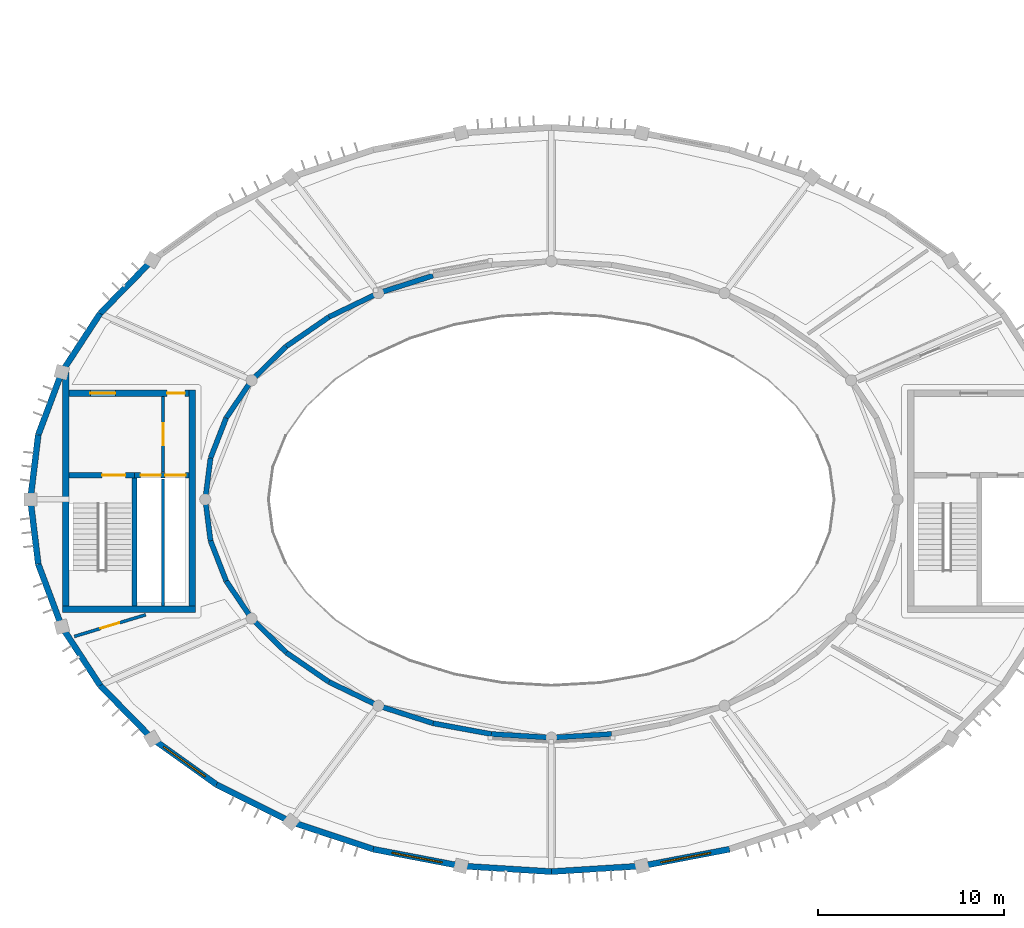
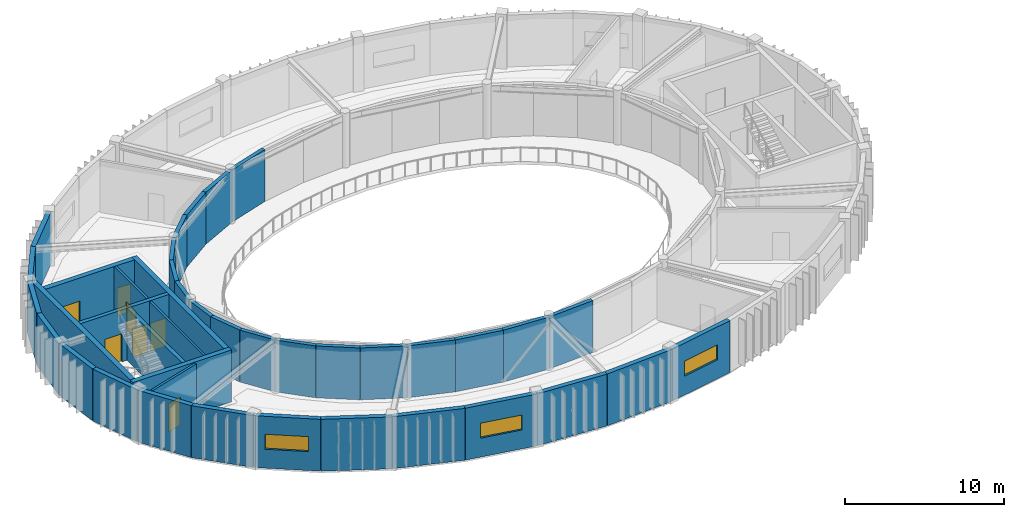
# One storey, part 17 of 29: 42 walls, 7 doors, 3 windows, 10 openings.
"""IFC4 building model written with IfcOpenShell, lengths in metres."""

import ifcopenshell
import ifcopenshell.guid

model = None  # the IFC model being written
_history = None  # IfcOwnerHistory: only IFC2X3 demands one
_inside = {}  # id of a spatial element -> (the spatial element, [elements in it])
_under = {}  # id of a project, library or spatial element -> (it, [spatial elements below it])
_declared = {}  # id of a project -> (the project, [libraries it declares])
_typed = {}  # id of a type object -> (the type object, [elements of that type])
_made_of = {}  # id of a material, layer set ... -> (it, [elements and type objects made of it])


def new_model(schema):
    """Start an empty IFC model of exactly this schema.

    Asked for "IFC4X3", IfcOpenShell would pick the latest addendum, in which some entities
    have other attributes; the version numbers below select the first issue.
    IFC2X3 requires an IfcOwnerHistory on every rooted entity: one is made here for all.
    """
    global model, _history
    if schema == "IFC4X3":
        model = ifcopenshell.file(schema_version=(4, 3, 0, 0))
    else:
        model = ifcopenshell.file(schema=schema)
    _inside.clear()
    _under.clear()
    _declared.clear()
    _typed.clear()
    _made_of.clear()
    _history = None
    if model.schema == "IFC2X3":
        org = make("IfcOrganization", Name="unknown")
        user = make(
            "IfcPersonAndOrganization",
            ThePerson=make("IfcPerson", FamilyName="unknown"),
            TheOrganization=org,
        )
        app = make(
            "IfcApplication",
            ApplicationDeveloper=org,
            Version="unknown",
            ApplicationFullName="unknown",
            ApplicationIdentifier="unknown",
        )
        _history = make(
            "IfcOwnerHistory",
            OwningUser=user,
            OwningApplication=app,
            ChangeAction="ADDED",
            CreationDate=0,
        )
    return model


def make(cls, **values):
    """One entity of the class cls with the attributes given. An attribute that is None is left unset."""
    return model.create_entity(
        cls, **{name: value for name, value in values.items() if value is not None}
    )


def rooted(cls, **values):
    """An entity with a GlobalId (a new one), such as an element, a storey or a relation."""
    return make(cls, GlobalId=ifcopenshell.guid.new(), OwnerHistory=_history, **values)


def si_unit(unit_type, name, prefix=None):
    """IfcSIUnit, for example si_unit("LENGTHUNIT", "METRE", prefix="MILLI")."""
    return make("IfcSIUnit", UnitType=unit_type, Prefix=prefix, Name=name)


def assignment(units):
    """IfcUnitAssignment: the units of a project."""
    return None if units is None else make("IfcUnitAssignment", Units=units)


def point(xyz):
    """IfcCartesianPoint."""
    return None if xyz is None else make("IfcCartesianPoint", Coordinates=xyz)


def direction(xyz):
    """IfcDirection."""
    return None if xyz is None else make("IfcDirection", DirectionRatios=xyz)


def frame(location, z_axis=None, x_axis=None):
    """IfcAxis2Placement3D, a coordinate frame: its origin and axes. An axis left out is left unset."""
    return make(
        "IfcAxis2Placement3D",
        Location=point(location),
        Axis=direction(z_axis),
        RefDirection=direction(x_axis),
    )


def frame_2d(location, x_axis=None):
    """IfcAxis2Placement2D, a coordinate frame in the plane: its origin and x axis."""
    return make(
        "IfcAxis2Placement2D", Location=point(location), RefDirection=direction(x_axis)
    )


def origin():
    """The frame at (0, 0, 0) with its axes left unset."""
    return frame((0.0, 0.0, 0.0))


def place(relative_to, where):
    """IfcLocalPlacement: puts the frame where relative to a parent placement (None: the world)."""
    return make(
        "IfcLocalPlacement", PlacementRelTo=relative_to, RelativePlacement=where
    )


def context(
    kind, dimensions, precision=None, world=None, true_north=None, identifier=None
):
    """IfcGeometricRepresentationContext, for example the 3D "Model" context."""
    return make(
        "IfcGeometricRepresentationContext",
        ContextIdentifier=identifier,
        ContextType=kind,
        CoordinateSpaceDimension=dimensions,
        Precision=precision,
        WorldCoordinateSystem=world,
        TrueNorth=true_north,
    )


def subcontext(parent, identifier, kind, view, scale=None):
    """IfcGeometricRepresentationSubContext, for example "Body" below "Model"."""
    return make(
        "IfcGeometricRepresentationSubContext",
        ContextIdentifier=identifier,
        ContextType=kind,
        ParentContext=parent,
        TargetScale=scale,
        TargetView=view,
    )


def project(units=None, contexts=None):
    """IfcProject with its units and contexts."""
    return rooted(
        "IfcProject",
        Name="project",
        RepresentationContexts=contexts,
        UnitsInContext=assignment(units),
    )


def spatial(cls, under=None, at=None, **own):
    """A site, building, storey or space (cls), placed at a placement, below another one or the project."""
    s = rooted(cls, ObjectPlacement=at, **own)
    if under is not None:
        _under.setdefault(under.id(), (under, []))[1].append(s)
    return s


def profile(cls, at=None, kind="AREA", **sizes):
    """A parametric profile (cls). Its sizes go by their IFC names, for example OverallWidth=200.0."""
    return make(cls, ProfileType=kind, Position=at, **sizes)


def rectangle(**sizes):
    """IfcRectangleProfileDef."""
    return profile("IfcRectangleProfileDef", **sizes)


def extrude(swept, where, along, depth):
    """IfcExtrudedAreaSolid: the profile swept, set in the frame where, extruded along a direction by depth."""
    return make(
        "IfcExtrudedAreaSolid",
        SweptArea=swept,
        Position=where,
        ExtrudedDirection=direction(along),
        Depth=depth,
    )


def shape(context_of_items, identifier, shape_type, items):
    """IfcShapeRepresentation: the items that make up one representation, for example the "Body"."""
    return make(
        "IfcShapeRepresentation",
        ContextOfItems=context_of_items,
        RepresentationIdentifier=identifier,
        RepresentationType=shape_type,
        Items=items,
    )


def material(Name=None, Category=None):
    """IfcMaterial."""
    return make("IfcMaterial", Name=Name, Category=Category)


def layer(
    of_material, thickness, ventilated=None, Name=None, Category=None, Priority=None
):
    """IfcMaterialLayer: one layer of a wall or slab, of a material (None: an air gap)."""
    return make(
        "IfcMaterialLayer",
        Material=of_material,
        LayerThickness=thickness,
        IsVentilated=ventilated,
        Name=Name,
        Category=Category,
        Priority=Priority,
    )


def layer_set(layers, Name=None):
    """IfcMaterialLayerSet."""
    return make("IfcMaterialLayerSet", MaterialLayers=layers, LayerSetName=Name)


def made_of(thing, what):
    """Note that an element or type object is made of a material, layer set ...; save() writes the relation."""
    if what is not None:
        _made_of.setdefault(what.id(), (what, []))[1].append(thing)
    return thing


def type_object(cls, material=None, **own):
    """A type object (cls), such as IfcWallType, which elements share."""
    return made_of(rooted(cls, **own), material)


def element(
    cls,
    number,
    at=None,
    inside=None,
    cuts=None,
    type_object=None,
    material=None,
    context=None,
    identifier="Body",
    shape_type=None,
    held_by="IfcProductDefinitionShape",
    body=None,
    shapes=None,
    **own,
):
    """One element of the class cls, such as IfcWall. Its Tag is "e" and its number.

    at: its placement. inside: the storey or other place that contains it. cuts: it is an
    opening in that element (IfcRelVoidsElement). A single representation is given by context,
    identifier, shape_type and body (its items); several are given by shapes. held_by: the class
    of the entity that holds the representations. save() writes the other relations.
    """
    e = rooted(cls, Tag="e%d" % number, ObjectPlacement=at, **own)
    if body is not None:
        shapes = [shape(context, identifier, shape_type, body)]
    if shapes is not None:
        e.Representation = make(held_by, Representations=shapes)
    if inside is not None:
        _inside.setdefault(inside.id(), (inside, []))[1].append(e)
    if cuts is not None:
        rooted(
            "IfcRelVoidsElement", RelatingBuildingElement=cuts, RelatedOpeningElement=e
        )
    if type_object is not None:
        _typed.setdefault(type_object.id(), (type_object, []))[1].append(e)
    return made_of(e, material)


def fill(opening, filler):
    """IfcRelFillsElement: the door or window that sits in an opening."""
    return rooted(
        "IfcRelFillsElement",
        RelatingOpeningElement=opening,
        RelatedBuildingElement=filler,
    )


def aggregate(whole, parts):
    """IfcRelAggregates: a whole, such as a stair, and the parts it consists of."""
    return rooted("IfcRelAggregates", RelatingObject=whole, RelatedObjects=parts)


def save(model, path):
    """Write the relations noted so far, then the file.

    IfcRelAggregates (storeys below a building ...), IfcRelContainedInSpatialStructure (elements
    in a storey), IfcRelDefinesByType, IfcRelAssociatesMaterial and IfcRelDeclares: one each for
    every whole, place, type object, material and project.
    """
    for whole, parts in _under.values():
        aggregate(whole, parts)
    for where, things in _inside.values():
        rooted(
            "IfcRelContainedInSpatialStructure",
            RelatedElements=things,
            RelatingStructure=where,
        )
    for kind, things in _typed.values():
        rooted("IfcRelDefinesByType", RelatedObjects=things, RelatingType=kind)
    for what, things in _made_of.values():
        rooted("IfcRelAssociatesMaterial", RelatedObjects=things, RelatingMaterial=what)
    for by, libraries in _declared.values():
        rooted("IfcRelDeclares", RelatingContext=by, RelatedDefinitions=libraries)
    model.write(path)


model = new_model("IFC4")

# Units and contexts
model_context = context("Model", 3, precision=1e-05, world=origin(), true_north=direction((0.0, 1.0)))
body_context = subcontext(model_context, "Body", "Model", "MODEL_VIEW")
ifc_project = project(units=[si_unit("LENGTHUNIT", "METRE"), si_unit("AREAUNIT", "SQUARE_METRE"), si_unit("VOLUMEUNIT", "CUBIC_METRE"), si_unit("PLANEANGLEUNIT", "RADIAN"), si_unit("MASSUNIT", "GRAM", prefix="KILO")], contexts=[model_context])

# Site, building, storey
site_placement = place(None, origin())
site = spatial("IfcSite", under=ifc_project, at=site_placement, CompositionType="ELEMENT")
building_placement = place(site_placement, origin())
building = spatial("IfcBuilding", under=site, at=building_placement, Name="Tarnveldt Headland Concert Hall", CompositionType="ELEMENT")
storey_placement = place(building_placement, frame((0.0, 0.0, 18.60009765625)))
storey = spatial("IfcBuildingStorey", under=building, at=storey_placement, Name="L04", CompositionType="ELEMENT", Elevation=18.60009765625)

# Walls
ifc_material_1 = material(Name="Concrete C40/50", Category="concrete")
ifc_layer_1 = layer(ifc_material_1, 0.324951171875, Name="Concrete C40/50", Category="concrete")
ifc_layer_set_1 = layer_set([ifc_layer_1], Name="Concrete C40/50")
wall_type_1 = type_object("IfcWallType", Name="WL-CR325", PredefinedType="SHEAR", material=ifc_layer_set_1)
wall_1_placement = place(storey_placement, frame((62.05078125, 67.355712890625, 0.0), z_axis=(0.0, 0.0, 1.0), x_axis=(-0.700051268358, -0.714092586203, 0.0)))
element("IfcWall", 1, at=wall_1_placement, inside=storey, type_object=wall_type_1, Name="Symphony drum shear wall L04-15", PredefinedType="SHEAR", context=body_context, shape_type="SweptSolid", body=[
    extrude(rectangle(XDim=3.9990234375, YDim=0.324951171875, at=frame_2d((1.99951171875, 0.0))), origin(), (0.0, 0.0, 1.0), 3.97998046875),
])
wall_2_placement = place(storey_placement, frame((59.251220703125, 64.5, 0.0), z_axis=(0.0, 0.0, 1.0), x_axis=(-0.546611158382, -0.837386554425, 0.0)))
element("IfcWall", 2, at=wall_2_placement, inside=storey, type_object=wall_type_1, Name="Symphony drum shear wall L04-16", PredefinedType="SHEAR", context=body_context, shape_type="SweptSolid", body=[
    extrude(rectangle(XDim=3.773193359375, YDim=0.324951171875, at=frame_2d((1.88671875, 0.0))), origin(), (0.0, 0.0, 1.0), 3.97998046875),
])
wall_3_placement = place(storey_placement, frame((57.188720703125, 61.34033203125, 0.0), z_axis=(0.0, 0.0, 1.0), x_axis=(-0.351279653979, -0.936270583058, 0.0)))
element("IfcWall", 3, at=wall_3_placement, inside=storey, type_object=wall_type_1, Name="Symphony drum shear wall L04-17", PredefinedType="SHEAR", context=body_context, shape_type="SweptSolid", body=[
    extrude(rectangle(XDim=3.5966796875, YDim=0.324951171875, at=frame_2d((1.79833984375, 0.0))), origin(), (0.0, 0.0, 1.0), 3.97998046875),
])
for number, where, z_axis, x_axis, name in (
    (4, (55.92529296875, 57.972900390625, 0.0), (0.0, 0.0, 1.0), (-0.121552414401, -0.99258501427, 0.0), "Symphony drum shear wall L04-18"),
    (5, (55.5, 54.5, 0.0), (0.0, 0.0, 1.0), (0.121552414401, -0.99258501427, 0.0), "Symphony drum shear wall L04-19"),
):
    element("IfcWall", number, at=place(storey_placement, frame(where, z_axis=z_axis, x_axis=x_axis)), inside=storey, type_object=wall_type_1, Name=name, PredefinedType="SHEAR", context=body_context, shape_type="SweptSolid", body=[
        extrude(rectangle(XDim=3.498779296875, YDim=0.324951171875, at=frame_2d((1.74951171875, 0.0))), origin(), (0.0, 0.0, 1.0), 3.97998046875),
    ])
wall_4_placement = place(storey_placement, frame((55.92529296875, 51.027099609375, 0.0), z_axis=(0.0, 0.0, 1.0), x_axis=(0.351279653979, -0.936270583058, 0.0)))
element("IfcWall", 6, at=wall_4_placement, inside=storey, type_object=wall_type_1, Name="Symphony drum shear wall L04-20", PredefinedType="SHEAR", context=body_context, shape_type="SweptSolid", body=[
    extrude(rectangle(XDim=3.5966796875, YDim=0.324951171875, at=frame_2d((1.79833984375, 0.0))), origin(), (0.0, 0.0, 1.0), 3.97998046875),
])
wall_5_placement = place(storey_placement, frame((57.188720703125, 47.65966796875, 0.0), z_axis=(0.0, 0.0, 1.0), x_axis=(0.546611158382, -0.837386554425, 0.0)))
element("IfcWall", 7, at=wall_5_placement, inside=storey, type_object=wall_type_1, Name="Symphony drum shear wall L04-21", PredefinedType="SHEAR", context=body_context, shape_type="SweptSolid", body=[
    extrude(rectangle(XDim=3.773193359375, YDim=0.324951171875, at=frame_2d((1.88671875, 0.0))), origin(), (0.0, 0.0, 1.0), 3.97998046875),
])
wall_6_placement = place(storey_placement, frame((59.251220703125, 44.5, 0.0), z_axis=(0.0, 0.0, 1.0), x_axis=(0.700051268358, -0.714092586203, 0.0)))
element("IfcWall", 8, at=wall_6_placement, inside=storey, type_object=wall_type_1, Name="Symphony drum shear wall L04-22", PredefinedType="SHEAR", context=body_context, shape_type="SweptSolid", body=[
    extrude(rectangle(XDim=3.9990234375, YDim=0.324951171875, at=frame_2d((1.99951171875, 0.0))), origin(), (0.0, 0.0, 1.0), 3.97998046875),
])

# Wall, opening, window
wall_7_placement = place(storey_placement, frame((62.05078125, 41.644287109375, 0.0), z_axis=(0.0, 0.0, 1.0), x_axis=(0.813737360708, -0.581232748378, 0.0)))
wall_7 = element("IfcWall", 9, at=wall_7_placement, inside=storey, type_object=wall_type_1, Name="Symphony drum shear wall L04-23", PredefinedType="SHEAR", context=body_context, shape_type="SweptSolid", body=[
    extrude(rectangle(XDim=4.2412109375, YDim=0.324951171875, at=frame_2d((2.12060546875, 0.0))), origin(), (0.0, 0.0, 1.0), 3.97998046875),
])
opening_1_placement = place(wall_7_placement, frame((0.74560546875, 0.0, 1.449951171875)))
opening_1 = element("IfcOpeningElement", 10, at=opening_1_placement, cuts=wall_7, Name="Opening W-D012", PredefinedType="OPENING", context=body_context, shape_type="SweptSolid", body=[
    extrude(rectangle(XDim=2.75, YDim=1.14990234375, at=frame_2d((1.375, 0.574951171875))), frame((0.0, 0.17236328125, 0.0), z_axis=(0.0, -1.0, 0.0), x_axis=(1.0, 0.0, 0.0)), (0.0, 0.0, 1.0), 0.344970703125),
])
ifc_material_2 = material(Name="Acoustic laminated low-iron double glazing", Category="glass")
window_type = type_object("IfcWindowType", Name="WN-22", PartitioningType="SINGLE_PANEL", PredefinedType="WINDOW", material=ifc_material_2)
window_1_placement = place(opening_1_placement, origin())
window_1 = element("IfcWindow", 11, at=window_1_placement, inside=storey, type_object=window_type, Name="Drum acoustic gallery window L04-23", OverallHeight=1.14990234375, OverallWidth=2.75, PartitioningType="SINGLE_PANEL", PredefinedType="WINDOW", context=body_context, shape_type="SweptSolid", body=[
    extrude(rectangle(XDim=2.75, YDim=1.14990234375, at=frame_2d((1.375, 0.574951171875))), frame((0.0, 0.030029296875, 0.0), z_axis=(0.0, -1.0, 0.0), x_axis=(1.0, 0.0, 0.0)), (0.0, 0.0, 1.0), 0.06005859375),
])
fill(opening_1, window_1)

# Walls
wall_8_placement = place(storey_placement, frame((65.501953125, 39.17919921875, 0.0), z_axis=(0.0, 0.0, 1.0), x_axis=(0.894361644392, -0.447344664705, 0.0)))
element("IfcWall", 12, at=wall_8_placement, inside=storey, type_object=wall_type_1, Name="Symphony drum shear wall L04-24", PredefinedType="SHEAR", context=body_context, shape_type="SweptSolid", body=[
    extrude(rectangle(XDim=4.47021484375, YDim=0.324951171875, at=frame_2d((2.235107421875, 0.0))), origin(), (0.0, 0.0, 1.0), 3.97998046875),
])
wall_9_placement = place(storey_placement, frame((69.5, 37.179443359375, 0.0), z_axis=(0.0, 0.0, 1.0), x_axis=(0.948751350732, -0.316023534699, 0.0)))
element("IfcWall", 13, at=wall_9_placement, inside=storey, type_object=wall_type_1, Name="Symphony drum shear wall L04-25", PredefinedType="SHEAR", context=body_context, shape_type="SweptSolid", body=[
    extrude(rectangle(XDim=4.662353515625, YDim=0.324951171875, at=frame_2d((2.3310546875, 0.0))), origin(), (0.0, 0.0, 1.0), 3.97998046875),
])

# Wall, opening, window
wall_10_placement = place(storey_placement, frame((73.92333984375, 35.7060546875, 0.0), z_axis=(0.0, 0.0, 1.0), x_axis=(0.982172578083, -0.187981453503, 0.0)))
wall_10 = element("IfcWall", 14, at=wall_10_placement, inside=storey, type_object=wall_type_1, Name="Symphony drum shear wall L04-26", PredefinedType="SHEAR", context=body_context, shape_type="SweptSolid", body=[
    extrude(rectangle(XDim=4.80029296875, YDim=0.324951171875, at=frame_2d((2.400146484375, 0.0))), origin(), (0.0, 0.0, 1.0), 3.97998046875),
])
opening_2_placement = place(wall_10_placement, frame((1.02490234375, 0.0, 1.449951171875)))
opening_2 = element("IfcOpeningElement", 15, at=opening_2_placement, cuts=wall_10, Name="Opening W-D013", PredefinedType="OPENING", context=body_context, shape_type="SweptSolid", body=[
    extrude(rectangle(XDim=2.75, YDim=1.14990234375, at=frame_2d((1.375, 0.574951171875))), frame((0.0, 0.17236328125, 0.0), z_axis=(0.0, -1.0, 0.0), x_axis=(1.0, 0.0, 0.0)), (0.0, 0.0, 1.0), 0.344970703125),
])
window_2_placement = place(opening_2_placement, origin())
window_2 = element("IfcWindow", 16, at=window_2_placement, inside=storey, type_object=window_type, Name="Drum acoustic gallery window L04-26", OverallHeight=1.14990234375, OverallWidth=2.75, PartitioningType="SINGLE_PANEL", PredefinedType="WINDOW", context=body_context, shape_type="SweptSolid", body=[
    extrude(rectangle(XDim=2.75, YDim=1.14990234375, at=frame_2d((1.375, 0.574951171875))), frame((0.0, 0.030029296875, 0.0), z_axis=(0.0, -1.0, 0.0), x_axis=(1.0, 0.0, 0.0)), (0.0, 0.0, 1.0), 0.06005859375),
])
fill(opening_2, window_2)

# Walls
for number, where, z_axis, x_axis, name in (
    (17, (78.637939453125, 34.8037109375, 0.0), (0.0, 0.0, 1.0), (0.998054722924, -0.06234396562, 0.0), "Symphony drum shear wall L04-27"),
    (18, (83.5, 34.5, 0.0), (0.0, 0.0, 1.0), (0.998054722924, 0.06234396562, 0.0), "Symphony drum shear wall L04-28"),
):
    element("IfcWall", number, at=place(storey_placement, frame(where, z_axis=z_axis, x_axis=x_axis)), inside=storey, type_object=wall_type_1, Name=name, PredefinedType="SHEAR", context=body_context, shape_type="SweptSolid", body=[
        extrude(rectangle(XDim=4.87158203125, YDim=0.324951171875, at=frame_2d((2.435791015625, 0.0))), origin(), (0.0, 0.0, 1.0), 3.97998046875),
    ])

# Wall, opening, window
wall_11_placement = place(storey_placement, frame((88.362060546875, 34.8037109375, 0.0), z_axis=(0.0, 0.0, 1.0), x_axis=(0.982172578083, 0.187981453503, 0.0)))
wall_11 = element("IfcWall", 19, at=wall_11_placement, inside=storey, type_object=wall_type_1, Name="Symphony drum shear wall L04-29", PredefinedType="SHEAR", context=body_context, shape_type="SweptSolid", body=[
    extrude(rectangle(XDim=4.80029296875, YDim=0.324951171875, at=frame_2d((2.400146484375, 0.0))), origin(), (0.0, 0.0, 1.0), 3.97998046875),
])
opening_3_placement = place(wall_11_placement, frame((1.02490234375, 0.0, 1.449951171875)))
opening_3 = element("IfcOpeningElement", 20, at=opening_3_placement, cuts=wall_11, Name="Opening W-D014", PredefinedType="OPENING", context=body_context, shape_type="SweptSolid", body=[
    extrude(rectangle(XDim=2.75, YDim=1.14990234375, at=frame_2d((1.375, 0.574951171875))), frame((0.0, 0.17236328125, 0.0), z_axis=(0.0, -1.0, 0.0), x_axis=(1.0, 0.0, 0.0)), (0.0, 0.0, 1.0), 0.344970703125),
])
window_3_placement = place(opening_3_placement, origin())
window_3 = element("IfcWindow", 21, at=window_3_placement, inside=storey, type_object=window_type, Name="Drum acoustic gallery window L04-29", OverallHeight=1.14990234375, OverallWidth=2.75, PartitioningType="SINGLE_PANEL", PredefinedType="WINDOW", context=body_context, shape_type="SweptSolid", body=[
    extrude(rectangle(XDim=2.75, YDim=1.14990234375, at=frame_2d((1.375, 0.574951171875))), frame((0.0, 0.030029296875, 0.0), z_axis=(0.0, -1.0, 0.0), x_axis=(1.0, 0.0, 0.0)), (0.0, 0.0, 1.0), 0.06005859375),
])
fill(opening_3, window_3)

# Wall
ifc_layer_2 = layer(ifc_material_1, 0.35009765625, Name="Concrete C40/50", Category="concrete")
ifc_layer_set_2 = layer_set([ifc_layer_2], Name="Concrete C40/50")
wall_type_2 = type_object("IfcWallType", Name="WL-CR350", PredefinedType="SHEAR", material=ifc_layer_set_2)
wall_12_placement = place(storey_placement, frame((57.22509765625, 48.60009765625, 0.0), z_axis=(0.0, 0.0, 1.0), x_axis=(1.0, 0.0, 0.0)))
element("IfcWall", 22, at=wall_12_placement, inside=storey, type_object=wall_type_2, Name="Core C1 south shear wall L04", PredefinedType="SHEAR", context=body_context, shape_type="SweptSolid", body=[
    extrude(rectangle(XDim=7.14990234375, YDim=0.35009765625, at=frame_2d((3.574951171875, 0.0))), origin(), (0.0, 0.0, 1.0), 3.97998046875),
])

# Wall, openings, doors
wall_13_placement = place(storey_placement, frame((57.574951171875, 60.199951171875, 0.0), z_axis=(0.0, 0.0, 1.0), x_axis=(1.0, 0.0, 0.0)))
wall_13 = element("IfcWall", 23, at=wall_13_placement, inside=storey, type_object=wall_type_2, Name="Core C1 north shear wall L04", PredefinedType="SHEAR", context=body_context, shape_type="SweptSolid", body=[
    extrude(rectangle(XDim=6.449951171875, YDim=0.35009765625, at=frame_2d((3.22509765625, 0.0))), origin(), (0.0, 0.0, 1.0), 3.97998046875),
])
opening_4_placement = place(wall_13_placement, frame((1.14990234375, 0.0, 0.0)))
opening_4 = element("IfcOpeningElement", 24, at=opening_4_placement, cuts=wall_13, Name="Opening FFD-C1-L04", PredefinedType="OPENING", context=body_context, shape_type="SweptSolid", body=[
    extrude(rectangle(XDim=1.35009765625, YDim=2.199951171875, at=frame_2d((0.675048828125, 1.10009765625))), frame((0.0, 0.18505859375, 0.0), z_axis=(0.0, -1.0, 0.0), x_axis=(1.0, 0.0, 0.0)), (0.0, 0.0, 1.0), 0.3701171875),
])
opening_5_placement = place(wall_13_placement, frame((5.280029296875, 0.0, 0.0)))
opening_5 = element("IfcOpeningElement", 25, at=opening_5_placement, cuts=wall_13, Name="Opening LBD-C1-L04", PredefinedType="OPENING", context=body_context, shape_type="SweptSolid", body=[
    extrude(rectangle(XDim=0.949951171875, YDim=2.1201171875, at=frame_2d((0.47509765625, 1.06005859375))), frame((0.0, 0.18505859375, 0.0), z_axis=(0.0, -1.0, 0.0), x_axis=(1.0, 0.0, 0.0)), (0.0, 0.0, 1.0), 0.3701171875),
])
ifc_material_3 = material(Name="Galvanised painted steel sheet", Category="steel")
door_type_1 = type_object("IfcDoorType", Name="DR-FF135", OperationType="NOTDEFINED", PredefinedType="DOOR", material=ifc_material_3)
door_1_placement = place(opening_4_placement, origin())
door_1 = element("IfcDoor", 26, at=door_1_placement, inside=storey, type_object=door_type_1, Name="Core C1 firefighting lobby entrance door L04", OperationType="SINGLE_SWING_LEFT", OverallHeight=2.199951171875, OverallWidth=1.35009765625, PredefinedType="DOOR", context=body_context, shape_type="SweptSolid", body=[
    extrude(rectangle(XDim=1.35009765625, YDim=2.199951171875, at=frame_2d((0.675048828125, 1.10009765625))), frame((0.0, 0.02490234375, 0.0), z_axis=(0.0, -1.0, 0.0), x_axis=(1.0, 0.0, 0.0)), (0.0, 0.0, 1.0), 0.050048828125),
])
fill(opening_4, door_1)
ifc_material_4 = material(Name="Treated East African mvule hardwood", Category="wood")
door_type_2 = type_object("IfcDoorType", Name="DR-RM095", OperationType="NOTDEFINED", PredefinedType="DOOR", material=ifc_material_4)
door_2_placement = place(opening_5_placement, origin())
door_2 = element("IfcDoor", 27, at=door_2_placement, inside=storey, type_object=door_type_2, Name="Core C1 lift lobby entrance door L04", OperationType="SINGLE_SWING_RIGHT", OverallHeight=2.1201171875, OverallWidth=0.949951171875, PredefinedType="DOOR", context=body_context, shape_type="SweptSolid", body=[
    extrude(rectangle(XDim=0.949951171875, YDim=2.1201171875, at=frame_2d((0.47509765625, 1.06005859375))), frame((0.0, 0.02490234375, 0.0), z_axis=(0.0, -1.0, 0.0), x_axis=(1.0, 0.0, 0.0)), (0.0, 0.0, 1.0), 0.050048828125),
])
fill(opening_5, door_2)

# Walls
wall_14_placement = place(storey_placement, frame((57.39990234375, 48.77490234375, 0.0), z_axis=(0.0, 0.0, 1.0), x_axis=(0.0, 1.0, 0.0)))
element("IfcWall", 28, at=wall_14_placement, inside=storey, type_object=wall_type_2, Name="Core C1 west shear wall L04", PredefinedType="SHEAR", context=body_context, shape_type="SweptSolid", body=[
    extrude(rectangle(XDim=12.565185546875, YDim=0.35009765625, at=frame_2d((6.28271484375, 0.0))), origin(), (0.0, 0.0, 1.0), 3.97998046875),
])
wall_15_placement = place(storey_placement, frame((64.199951171875, 48.77490234375, 0.0), z_axis=(0.0, 0.0, 1.0), x_axis=(0.0, 1.0, 0.0)))
element("IfcWall", 29, at=wall_15_placement, inside=storey, type_object=wall_type_2, Name="Core C1 east shear wall L04", PredefinedType="SHEAR", context=body_context, shape_type="SweptSolid", body=[
    extrude(rectangle(XDim=11.60009765625, YDim=0.35009765625, at=frame_2d((5.800048828125, 0.0))), origin(), (0.0, 0.0, 1.0), 3.97998046875),
])
ifc_material_5 = material(Name="Acoustic multi-layer gypsum and mineral-wool partition", Category="gypsum")
ifc_layer_3 = layer(ifc_material_5, 0.14990234375, Name="Acoustic multi-layer gypsum and mineral-wool partition", Category="gypsum")
ifc_layer_set_3 = layer_set([ifc_layer_3], Name="Acoustic multi-layer gypsum and mineral-wool partition")
wall_type_3 = type_object("IfcWallType", Name="WL-PT150", PredefinedType="PARTITIONING", material=ifc_layer_set_3)
wall_16_placement = place(storey_placement, frame((62.632568359375, 48.77490234375, 0.0), z_axis=(0.0, 0.0, 1.0), x_axis=(0.0, 1.0, 0.0)))
element("IfcWall", 30, at=wall_16_placement, inside=storey, type_object=wall_type_3, Name="Core C1 twin lift divider L04", PredefinedType="PARTITIONING", context=body_context, shape_type="SweptSolid", body=[
    extrude(rectangle(XDim=6.8251953125, YDim=0.14990234375, at=frame_2d((3.41259765625, 0.0))), origin(), (0.0, 0.0, 1.0), 3.973876953125),
])

# Wall, opening, door
ifc_layer_4 = layer(ifc_material_5, 0.1650390625, Name="Acoustic multi-layer gypsum and mineral-wool partition", Category="gypsum")
ifc_layer_set_4 = layer_set([ifc_layer_4], Name="Acoustic multi-layer gypsum and mineral-wool partition")
wall_type_4 = type_object("IfcWallType", Name="WL-PT165", PredefinedType="PARTITIONING", material=ifc_layer_set_4)
wall_17_placement = place(storey_placement, frame((62.632568359375, 55.97998046875, 0.0), z_axis=(0.0, 0.0, 1.0), x_axis=(0.0, 1.0, 0.0)))
wall_17 = element("IfcWall", 31, at=wall_17_placement, inside=storey, type_object=wall_type_4, Name="Core C1 firefighting lobby wall L04", PredefinedType="PARTITIONING", context=body_context, shape_type="SweptSolid", body=[
    extrude(rectangle(XDim=4.0400390625, YDim=0.1650390625, at=frame_2d((2.02001953125, 0.0))), origin(), (0.0, 0.0, 1.0), 3.973876953125),
])
opening_6_placement = place(wall_17_placement, frame((1.419921875, 0.0, 0.0)))
opening_6 = element("IfcOpeningElement", 32, at=opening_6_placement, cuts=wall_17, Name="Opening FFD-C1I-L04", PredefinedType="OPENING", context=body_context, shape_type="SweptSolid", body=[
    extrude(rectangle(XDim=1.199951171875, YDim=2.14990234375, at=frame_2d((0.60009765625, 1.074951171875))), frame((0.0, 0.092529296875, 0.0), z_axis=(0.0, -1.0, 0.0), x_axis=(1.0, 0.0, 0.0)), (0.0, 0.0, 1.0), 0.18505859375),
])
door_type_3 = type_object("IfcDoorType", Name="DR-ST120", OperationType="NOTDEFINED", PredefinedType="DOOR", material=ifc_material_3)
door_3_placement = place(opening_6_placement, origin())
door_3 = element("IfcDoor", 33, at=door_3_placement, inside=storey, type_object=door_type_3, Name="Core C1 lobby interconnecting fire door L04", OperationType="SINGLE_SWING_RIGHT", OverallHeight=2.14990234375, OverallWidth=1.199951171875, PredefinedType="DOOR", context=body_context, shape_type="SweptSolid", body=[
    extrude(rectangle(XDim=1.199951171875, YDim=2.14990234375, at=frame_2d((0.60009765625, 1.074951171875))), frame((0.0, 0.02490234375, 0.0), z_axis=(0.0, -1.0, 0.0), x_axis=(1.0, 0.0, 0.0)), (0.0, 0.0, 1.0), 0.050048828125),
])
fill(opening_6, door_3)

wall_18_placement = place(storey_placement, frame((61.69482421875, 48.300048828125, 0.0), z_axis=(0.0, 0.0, 1.0), x_axis=(-0.957020301393, -0.29002093497, 0.0)))
wall_18 = element("IfcWall", 34, at=wall_18_placement, inside=storey, type_object=wall_type_4, Name="Interior acoustic partition L04-242", PredefinedType="PARTITIONING", context=body_context, shape_type="SweptSolid", body=[
    extrude(rectangle(XDim=4.003662109375, YDim=0.1650390625, at=frame_2d((2.001953125, 0.0))), origin(), (0.0, 0.0, 1.0), 3.973876953125),
])
opening_7_placement = place(wall_18_placement, frame((1.476806640625, 0.0, 0.0)))
opening_7 = element("IfcOpeningElement", 35, at=opening_7_placement, cuts=wall_18, Name="Opening D-L04-238", PredefinedType="OPENING", context=body_context, shape_type="SweptSolid", body=[
    extrude(rectangle(XDim=1.050048828125, YDim=2.14990234375, at=frame_2d((0.52490234375, 1.074951171875))), frame((0.0, 0.092529296875, 0.0), z_axis=(0.0, -1.0, 0.0), x_axis=(1.0, 0.0, 0.0)), (0.0, 0.0, 1.0), 0.18505859375),
])
door_type_4 = type_object("IfcDoorType", Name="DR-RM105", OperationType="NOTDEFINED", PredefinedType="DOOR", material=ifc_material_4)
door_4_placement = place(opening_7_placement, origin())
door_4 = element("IfcDoor", 36, at=door_4_placement, inside=storey, type_object=door_type_4, Name="Interior room door L04-238", OperationType="SINGLE_SWING_RIGHT", OverallHeight=2.14990234375, OverallWidth=1.050048828125, PredefinedType="DOOR", context=body_context, shape_type="SweptSolid", body=[
    extrude(rectangle(XDim=1.050048828125, YDim=2.14990234375, at=frame_2d((0.52490234375, 1.074951171875))), frame((0.0, 0.02490234375, 0.0), z_axis=(0.0, -1.0, 0.0), x_axis=(1.0, 0.0, 0.0)), (0.0, 0.0, 1.0), 0.050048828125),
])
fill(opening_7, door_4)

# Walls
ifc_layer_5 = layer(ifc_material_1, 0.27490234375, Name="Concrete C40/50", Category="concrete")
ifc_layer_set_5 = layer_set([ifc_layer_5], Name="Concrete C40/50")
wall_type_5 = type_object("IfcWallType", Name="WL-SH275", PredefinedType="SHEAR", material=ifc_layer_set_5)
wall_19_placement = place(storey_placement, frame((77.138427734375, 66.528076171875, 0.0), z_axis=(0.0, 0.0, 1.0), x_axis=(-0.952183186678, -0.305527705795, 0.0)))
element("IfcWall", 37, at=wall_19_placement, inside=storey, type_object=wall_type_5, Name="Acoustic inner box wall L04-12", PredefinedType="SHEAR", context=body_context, shape_type="SweptSolid", body=[
    extrude(rectangle(XDim=3.0859375, YDim=0.27490234375, at=frame_2d((1.54296875, 0.0))), origin(), (0.0, 0.0, 1.0), 3.97998046875),
])
wall_20_placement = place(storey_placement, frame((74.199951171875, 65.585205078125, 0.0), z_axis=(0.0, 0.0, 1.0), x_axis=(-0.900857755122, -0.434114391648, 0.0)))
element("IfcWall", 38, at=wall_20_placement, inside=storey, type_object=wall_type_5, Name="Acoustic inner box wall L04-13", PredefinedType="SHEAR", context=body_context, shape_type="SweptSolid", body=[
    extrude(rectangle(XDim=2.947998046875, YDim=0.27490234375, at=frame_2d((1.47412109375, 0.0))), origin(), (0.0, 0.0, 1.0), 3.97998046875),
])
wall_21_placement = place(storey_placement, frame((71.544189453125, 64.305419921875, 0.0), z_axis=(0.0, 0.0, 1.0), x_axis=(-0.823780742291, -0.566908536388, 0.0)))
element("IfcWall", 39, at=wall_21_placement, inside=storey, type_object=wall_type_5, Name="Acoustic inner box wall L04-14", PredefinedType="SHEAR", context=body_context, shape_type="SweptSolid", body=[
    extrude(rectangle(XDim=2.782958984375, YDim=0.27490234375, at=frame_2d((1.3916015625, 0.0))), origin(), (0.0, 0.0, 1.0), 3.97998046875),
])
wall_22_placement = place(storey_placement, frame((69.251708984375, 62.727783203125, 0.0), z_axis=(0.0, 0.0, 1.0), x_axis=(-0.713212431679, -0.700947949065, 0.0)))
element("IfcWall", 40, at=wall_22_placement, inside=storey, type_object=wall_type_5, Name="Acoustic inner box wall L04-15", PredefinedType="SHEAR", context=body_context, shape_type="SweptSolid", body=[
    extrude(rectangle(XDim=2.607666015625, YDim=0.27490234375, at=frame_2d((1.3037109375, 0.0))), origin(), (0.0, 0.0, 1.0), 3.97998046875),
])
wall_23_placement = place(storey_placement, frame((67.391845703125, 60.89990234375, 0.0), z_axis=(0.0, 0.0, 1.0), x_axis=(-0.560958648975, -0.827843822312, 0.0)))
element("IfcWall", 41, at=wall_23_placement, inside=storey, type_object=wall_type_5, Name="Acoustic inner box wall L04-16", PredefinedType="SHEAR", context=body_context, shape_type="SweptSolid", body=[
    extrude(rectangle(XDim=2.4423828125, YDim=0.27490234375, at=frame_2d((1.22119140625, 0.0))), origin(), (0.0, 0.0, 1.0), 3.97998046875),
])
wall_24_placement = place(storey_placement, frame((66.021728515625, 58.8779296875, 0.0), z_axis=(0.0, 0.0, 1.0), x_axis=(-0.362802811216, -0.931865934657, 0.0)))
element("IfcWall", 42, at=wall_24_placement, inside=storey, type_object=wall_type_5, Name="Acoustic inner box wall L04-17", PredefinedType="SHEAR", context=body_context, shape_type="SweptSolid", body=[
    extrude(rectangle(XDim=2.312744140625, YDim=0.27490234375, at=frame_2d((1.15625, 0.0))), origin(), (0.0, 0.0, 1.0), 3.97998046875),
])
for number, where, z_axis, x_axis, name in (
    (43, (65.1826171875, 56.72265625, 0.0), (0.0, 0.0, 1.0), (-0.126180195213, -0.992007337844, 0.0), "Acoustic inner box wall L04-18"),
    (44, (64.89990234375, 54.5, 0.0), (0.0, 0.0, 1.0), (0.126180195213, -0.992007337844, 0.0), "Acoustic inner box wall L04-19"),
):
    element("IfcWall", number, at=place(storey_placement, frame(where, z_axis=z_axis, x_axis=x_axis)), inside=storey, type_object=wall_type_5, Name=name, PredefinedType="SHEAR", context=body_context, shape_type="SweptSolid", body=[
        extrude(rectangle(XDim=2.240478515625, YDim=0.27490234375, at=frame_2d((1.1201171875, 0.0))), origin(), (0.0, 0.0, 1.0), 3.97998046875),
    ])
wall_25_placement = place(storey_placement, frame((65.1826171875, 52.27734375, 0.0), z_axis=(0.0, 0.0, 1.0), x_axis=(0.362802811216, -0.931865934657, 0.0)))
element("IfcWall", 45, at=wall_25_placement, inside=storey, type_object=wall_type_5, Name="Acoustic inner box wall L04-20", PredefinedType="SHEAR", context=body_context, shape_type="SweptSolid", body=[
    extrude(rectangle(XDim=2.312744140625, YDim=0.27490234375, at=frame_2d((1.15625, 0.0))), origin(), (0.0, 0.0, 1.0), 3.97998046875),
])
wall_26_placement = place(storey_placement, frame((66.021728515625, 50.1220703125, 0.0), z_axis=(0.0, 0.0, 1.0), x_axis=(0.560958648975, -0.827843822312, 0.0)))
element("IfcWall", 46, at=wall_26_placement, inside=storey, type_object=wall_type_5, Name="Acoustic inner box wall L04-21", PredefinedType="SHEAR", context=body_context, shape_type="SweptSolid", body=[
    extrude(rectangle(XDim=2.4423828125, YDim=0.27490234375, at=frame_2d((1.22119140625, 0.0))), origin(), (0.0, 0.0, 1.0), 3.97998046875),
])
wall_27_placement = place(storey_placement, frame((67.391845703125, 48.10009765625, 0.0), z_axis=(0.0, 0.0, 1.0), x_axis=(0.713212431679, -0.700947949065, 0.0)))
element("IfcWall", 47, at=wall_27_placement, inside=storey, type_object=wall_type_5, Name="Acoustic inner box wall L04-22", PredefinedType="SHEAR", context=body_context, shape_type="SweptSolid", body=[
    extrude(rectangle(XDim=2.607666015625, YDim=0.27490234375, at=frame_2d((1.3037109375, 0.0))), origin(), (0.0, 0.0, 1.0), 3.97998046875),
])
wall_28_placement = place(storey_placement, frame((69.251708984375, 46.272216796875, 0.0), z_axis=(0.0, 0.0, 1.0), x_axis=(0.823780742291, -0.566908536388, 0.0)))
element("IfcWall", 48, at=wall_28_placement, inside=storey, type_object=wall_type_5, Name="Acoustic inner box wall L04-23", PredefinedType="SHEAR", context=body_context, shape_type="SweptSolid", body=[
    extrude(rectangle(XDim=2.782958984375, YDim=0.27490234375, at=frame_2d((1.3916015625, 0.0))), origin(), (0.0, 0.0, 1.0), 3.97998046875),
])
wall_29_placement = place(storey_placement, frame((71.544189453125, 44.694580078125, 0.0), z_axis=(0.0, 0.0, 1.0), x_axis=(0.900857755122, -0.434114391648, 0.0)))
element("IfcWall", 49, at=wall_29_placement, inside=storey, type_object=wall_type_5, Name="Acoustic inner box wall L04-24", PredefinedType="SHEAR", context=body_context, shape_type="SweptSolid", body=[
    extrude(rectangle(XDim=2.947998046875, YDim=0.27490234375, at=frame_2d((1.47412109375, 0.0))), origin(), (0.0, 0.0, 1.0), 3.97998046875),
])
wall_30_placement = place(storey_placement, frame((74.199951171875, 43.414794921875, 0.0), z_axis=(0.0, 0.0, 1.0), x_axis=(0.952183186678, -0.305527705795, 0.0)))
element("IfcWall", 50, at=wall_30_placement, inside=storey, type_object=wall_type_5, Name="Acoustic inner box wall L04-25", PredefinedType="SHEAR", context=body_context, shape_type="SweptSolid", body=[
    extrude(rectangle(XDim=3.0859375, YDim=0.27490234375, at=frame_2d((1.54296875, 0.0))), origin(), (0.0, 0.0, 1.0), 3.97998046875),
])
wall_31_placement = place(storey_placement, frame((77.138427734375, 42.471923828125, 0.0), z_axis=(0.0, 0.0, 1.0), x_axis=(0.9834240594, -0.18132048807, 0.0)))
element("IfcWall", 51, at=wall_31_placement, inside=storey, type_object=wall_type_5, Name="Acoustic inner box wall L04-26", PredefinedType="SHEAR", context=body_context, shape_type="SweptSolid", body=[
    extrude(rectangle(XDim=3.184326171875, YDim=0.27490234375, at=frame_2d((1.59228515625, 0.0))), origin(), (0.0, 0.0, 1.0), 3.97998046875),
])
for number, where, z_axis, x_axis, name in (
    (52, (80.27001953125, 41.89453125, 0.0), (0.0, 0.0, 1.0), (0.99819038223, -0.060132859761, 0.0), "Acoustic inner box wall L04-27"),
    (53, (83.5, 41.699951171875, 0.0), (0.0, 0.0, 1.0), (0.99819038223, 0.060132859761, 0.0), "Acoustic inner box wall L04-28"),
):
    element("IfcWall", number, at=place(storey_placement, frame(where, z_axis=z_axis, x_axis=x_axis)), inside=storey, type_object=wall_type_5, Name=name, PredefinedType="SHEAR", context=body_context, shape_type="SweptSolid", body=[
        extrude(rectangle(XDim=3.23583984375, YDim=0.27490234375, at=frame_2d((1.617919921875, 0.0))), origin(), (0.0, 0.0, 1.0), 3.97998046875),
    ])
wall_32_placement = place(storey_placement, frame((61.10009765625, 48.77490234375, 0.0), z_axis=(0.0, 0.0, 1.0), x_axis=(0.0, 1.0, 0.0)))
element("IfcWall", 54, at=wall_32_placement, inside=storey, type_object=wall_type_5, Name="Core C1 shaft divider wall L04", PredefinedType="SHEAR", context=body_context, shape_type="SweptSolid", body=[
    extrude(rectangle(XDim=6.8876953125, YDim=0.27490234375, at=frame_2d((3.44384765625, 0.0))), origin(), (0.0, 0.0, 1.0), 3.97998046875),
])

# Wall, opening, door
wall_33_placement = place(storey_placement, frame((57.574951171875, 55.800048828125, 0.0), z_axis=(0.0, 0.0, 1.0), x_axis=(1.0, 0.0, 0.0)))
wall_33 = element("IfcWall", 55, at=wall_33_placement, inside=storey, type_object=wall_type_5, Name="Core C1 stair enclosure wall L04", PredefinedType="SHEAR", context=body_context, shape_type="SweptSolid", body=[
    extrude(rectangle(XDim=3.525146484375, YDim=0.27490234375, at=frame_2d((1.7626953125, 0.0))), origin(), (0.0, 0.0, 1.0), 3.97998046875),
])
opening_8_placement = place(wall_33_placement, frame((1.784912109375, 0.0, 0.0)))
opening_8 = element("IfcOpeningElement", 56, at=opening_8_placement, cuts=wall_33, Name="Opening SD-C1-L04", PredefinedType="OPENING", context=body_context, shape_type="SweptSolid", body=[
    extrude(rectangle(XDim=1.25, YDim=2.14990234375, at=frame_2d((0.625, 1.074951171875))), frame((0.0, 0.1474609375, 0.0), z_axis=(0.0, -1.0, 0.0), x_axis=(1.0, 0.0, 0.0)), (0.0, 0.0, 1.0), 0.294921875),
])
door_type_5 = type_object("IfcDoorType", Name="DR-ST125", OperationType="NOTDEFINED", PredefinedType="DOOR", material=ifc_material_3)
door_5_placement = place(opening_8_placement, origin())
door_5 = element("IfcDoor", 57, at=door_5_placement, inside=storey, type_object=door_type_5, Name="Core C1 stair fire door L04", OperationType="SINGLE_SWING_RIGHT", OverallHeight=2.14990234375, OverallWidth=1.25, PredefinedType="DOOR", context=body_context, shape_type="SweptSolid", body=[
    extrude(rectangle(XDim=1.25, YDim=2.14990234375, at=frame_2d((0.625, 1.074951171875))), frame((0.0, 0.02490234375, 0.0), z_axis=(0.0, -1.0, 0.0), x_axis=(1.0, 0.0, 0.0)), (0.0, 0.0, 1.0), 0.050048828125),
])
fill(opening_8, door_5)

# Wall, openings, doors
wall_34_placement = place(storey_placement, frame((61.10009765625, 55.800048828125, 0.0), z_axis=(0.0, 0.0, 1.0), x_axis=(1.0, 0.0, 0.0)))
wall_34 = element("IfcWall", 58, at=wall_34_placement, inside=storey, type_object=wall_type_5, Name="Core C1 lift shaft front wall L04", PredefinedType="SHEAR", context=body_context, shape_type="SweptSolid", body=[
    extrude(rectangle(XDim=2.9248046875, YDim=0.27490234375, at=frame_2d((1.46240234375, 0.0))), origin(), (0.0, 0.0, 1.0), 3.97998046875),
])
opening_9_placement = place(wall_34_placement, frame((0.320068359375, 0.0, 0.0)))
opening_9 = element("IfcOpeningElement", 59, at=opening_9_placement, cuts=wall_34, Name="Opening LD-FFL-01-L04", PredefinedType="OPENING", context=body_context, shape_type="SweptSolid", body=[
    extrude(rectangle(XDim=1.10009765625, YDim=2.14990234375, at=frame_2d((0.550048828125, 1.074951171875))), frame((0.0, 0.1474609375, 0.0), z_axis=(0.0, -1.0, 0.0), x_axis=(1.0, 0.0, 0.0)), (0.0, 0.0, 1.0), 0.294921875),
])
opening_10_placement = place(wall_34_placement, frame((1.64501953125, 0.0, 0.0)))
opening_10 = element("IfcOpeningElement", 60, at=opening_10_placement, cuts=wall_34, Name="Opening LD-LP-01-L04", PredefinedType="OPENING", context=body_context, shape_type="SweptSolid", body=[
    extrude(rectangle(XDim=1.10009765625, YDim=2.14990234375, at=frame_2d((0.550048828125, 1.074951171875))), frame((0.0, 0.1474609375, 0.0), z_axis=(0.0, -1.0, 0.0), x_axis=(1.0, 0.0, 0.0)), (0.0, 0.0, 1.0), 0.294921875),
])
door_type_6 = type_object("IfcDoorType", Name="LD-110", OperationType="NOTDEFINED", PredefinedType="DOOR", material=ifc_material_3)
door_6_placement = place(opening_9_placement, origin())
door_6 = element("IfcDoor", 61, at=door_6_placement, inside=storey, type_object=door_type_6, Name="Lift FFL-01 sliding landing door L04", OperationType="DOUBLE_DOOR_SLIDING", OverallHeight=2.14990234375, OverallWidth=1.10009765625, PredefinedType="DOOR", context=body_context, shape_type="SweptSolid", body=[
    extrude(rectangle(XDim=1.10009765625, YDim=2.14990234375, at=frame_2d((0.550048828125, 1.074951171875))), frame((0.0, 0.02490234375, 0.0), z_axis=(0.0, -1.0, 0.0), x_axis=(1.0, 0.0, 0.0)), (0.0, 0.0, 1.0), 0.050048828125),
])
fill(opening_9, door_6)
door_7_placement = place(opening_10_placement, origin())
door_7 = element("IfcDoor", 62, at=door_7_placement, inside=storey, type_object=door_type_6, Name="Lift LP-01 sliding landing door L04", OperationType="DOUBLE_DOOR_SLIDING", OverallHeight=2.14990234375, OverallWidth=1.10009765625, PredefinedType="DOOR", context=body_context, shape_type="SweptSolid", body=[
    extrude(rectangle(XDim=1.10009765625, YDim=2.14990234375, at=frame_2d((0.550048828125, 1.074951171875))), frame((0.0, 0.02490234375, 0.0), z_axis=(0.0, -1.0, 0.0), x_axis=(1.0, 0.0, 0.0)), (0.0, 0.0, 1.0), 0.050048828125),
])
fill(opening_10, door_7)

save(model, "model.ifc")
